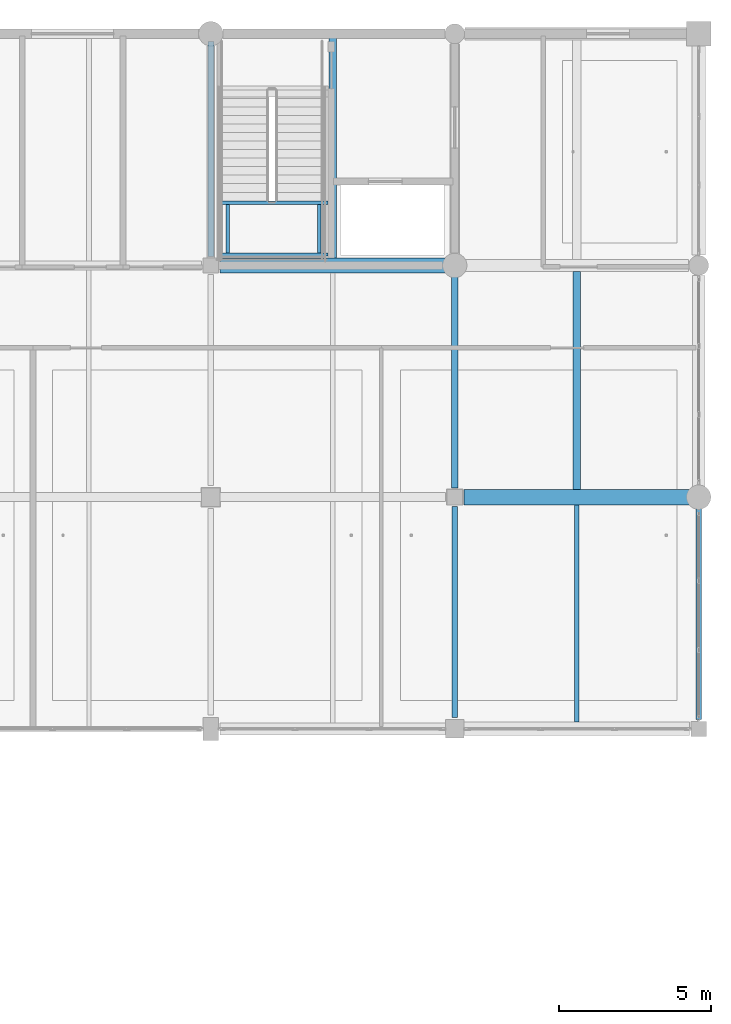
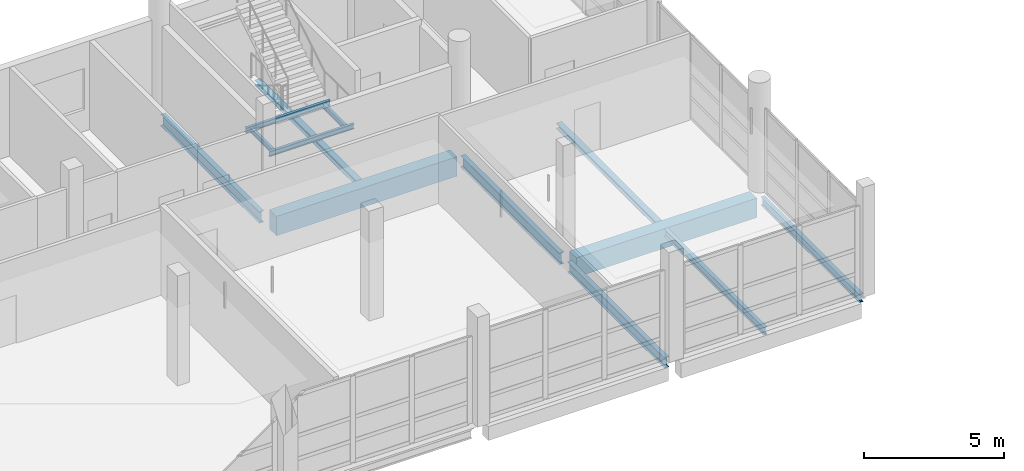
# One storey, part 19 of 46: 13 beams.
"""IFC4 building model written with IfcOpenShell, lengths in metres."""

from ifc_helpers import new_model, si_unit, direction, frame, origin, origin_2d, place, context, subcontext, project, spatial, rectangle, i_section, extrude, material, material_profile, profile_set, type_object, element, save


model = new_model("IFC4")

# Units and contexts
model_context = context("Model", 3, precision=1e-05, world=origin(), true_north=direction((0.0, 1.0)))
body_context = subcontext(model_context, "Body", "Model", "MODEL_VIEW")
ifc_project = project(units=[si_unit("LENGTHUNIT", "METRE"), si_unit("AREAUNIT", "SQUARE_METRE"), si_unit("VOLUMEUNIT", "CUBIC_METRE"), si_unit("PLANEANGLEUNIT", "RADIAN"), si_unit("MASSUNIT", "GRAM", prefix="KILO")], contexts=[model_context])

# Site, building, storey
site_placement = place(None, origin())
site = spatial("IfcSite", under=ifc_project, at=site_placement, CompositionType="ELEMENT")
building_placement = place(site_placement, origin())
building = spatial("IfcBuilding", under=site, at=building_placement, Name="Khelvaren Railside Concert Hall", CompositionType="ELEMENT")
storey_placement = place(building_placement, frame((0.0, 0.0, 19.800048828125)))
storey = spatial("IfcBuildingStorey", under=building, at=storey_placement, Name="L04", CompositionType="ELEMENT", Elevation=19.800048828125)

# Beams
ifc_material_1 = material(Name="Steel S355", Category="steel")
ifc_material_profile_1 = material_profile(ifc_material_1, i_section(OverallWidth=0.199951171875, OverallDepth=0.5, WebThickness=0.01025390625, FlangeThickness=0.01611328125, FilletRadius=0.02099609375, at=origin_2d()), Name="IPE 500")
ifc_profile_set_1 = profile_set([ifc_material_profile_1], Name="Steel S355")
beam_type_1 = type_object("IfcBeamType", Name="BM62", PredefinedType="BEAM", material=ifc_profile_set_1)
beam_1_placement = place(storey_placement, frame((168.0, 106.699951171875, -0.52001953125), z_axis=(0.0, 1.0, 0.0), x_axis=(-1.0, 0.0, 0.0)))
element("IfcBeam", 1, at=beam_1_placement, inside=storey, type_object=beam_type_1, Name="V5 L04 Beam Y6.4", PredefinedType="BEAM", context=body_context, shape_type="SweptSolid", body=[
    extrude(i_section(OverallWidth=0.199951171875, OverallDepth=0.5, WebThickness=0.01025390625, FlangeThickness=0.01611328125, FilletRadius=0.02099609375, at=origin_2d()), origin(), (0.0, 0.0, 1.0), 7.050048828125),
])
beam_2_placement = place(storey_placement, frame((176.0, 99.10009765625, -0.52001953125), z_axis=(0.0, 1.0, 0.0), x_axis=(-1.0, 0.0, 0.0)))
element("IfcBeam", 2, at=beam_2_placement, inside=storey, type_object=beam_type_1, Name="V5 L04 Beam Y7.3", PredefinedType="BEAM", context=body_context, shape_type="SweptSolid", body=[
    extrude(i_section(OverallWidth=0.199951171875, OverallDepth=0.5, WebThickness=0.01025390625, FlangeThickness=0.01611328125, FilletRadius=0.02099609375, at=origin_2d()), origin(), (0.0, 0.0, 1.0), 7.0498046875),
])
ifc_material_profile_2 = material_profile(ifc_material_1, i_section(OverallWidth=0.110107421875, OverallDepth=0.219970703125, WebThickness=0.005859375, FlangeThickness=0.00927734375, FilletRadius=0.011962890625, at=origin_2d()), Name="IPE 220")
ifc_profile_set_2 = profile_set([ifc_material_profile_2], Name="Steel S355")
beam_type_2 = type_object("IfcBeamType", Name="BM87", PredefinedType="BEAM", material=ifc_profile_set_2)
for number, where, z_axis, x_axis, name in (
    (3, (168.344970703125, 108.455078125, 2.08984375), (1.0, 0.0, 0.0), (0.0, 1.0, 0.0), "ST-10 L04 Half-Landing Front Beam"),
    (4, (168.344970703125, 106.760009765625, 2.08984375), (1.0, 0.0, 0.0), (0.0, 1.0, 0.0), "ST-10 L04 Half-Landing Rear Beam"),
):
    element("IfcBeam", number, at=place(storey_placement, frame(where, z_axis=z_axis, x_axis=x_axis)), inside=storey, type_object=beam_type_2, Name=name, PredefinedType="BEAM", context=body_context, shape_type="SweptSolid", body=[
        extrude(i_section(OverallWidth=0.110107421875, OverallDepth=0.219970703125, WebThickness=0.005859375, FlangeThickness=0.00927734375, FilletRadius=0.011962890625, at=origin_2d()), origin(), (0.0, 0.0, 1.0), 3.4951171875),
    ])
for number, where, z_axis, x_axis, name in (
    (5, (168.550048828125, 106.81494140625, 2.08984375), (0.0, 1.0, 0.0), (-1.0, 0.0, 0.0), "ST-10 L04 Half-Landing Side Tie W"),
    (6, (171.550048828125, 106.81494140625, 2.08984375), (0.0, 1.0, 0.0), (-1.0, 0.0, 0.0), "ST-10 L04 Half-Landing Side Tie E"),
):
    element("IfcBeam", number, at=place(storey_placement, frame(where, z_axis=z_axis, x_axis=x_axis)), inside=storey, type_object=beam_type_2, Name=name, PredefinedType="BEAM", context=body_context, shape_type="SweptSolid", body=[
        extrude(i_section(OverallWidth=0.110107421875, OverallDepth=0.219970703125, WebThickness=0.005859375, FlangeThickness=0.00927734375, FilletRadius=0.011962890625, at=origin_2d()), origin(), (0.0, 0.0, 1.0), 1.5849609375),
    ])
ifc_material_profile_3 = material_profile(ifc_material_1, i_section(OverallWidth=0.18994140625, OverallDepth=0.449951171875, WebThickness=0.009521484375, FlangeThickness=0.0146484375, FilletRadius=0.02099609375, at=origin_2d()), Name="IPE 450")
ifc_profile_set_3 = profile_set([ifc_material_profile_3], Name="Steel S355")
beam_type_3 = type_object("IfcBeamType", Name="BM95", PredefinedType="BEAM", material=ifc_profile_set_3)
beam_3_placement = place(storey_placement, frame((176.0, 91.574951171875, -0.4951171875), z_axis=(0.0, 1.0, 0.0), x_axis=(-1.0, 0.0, 0.0)))
element("IfcBeam", 7, at=beam_3_placement, inside=storey, type_object=beam_type_3, Name="V5 L04 Beam Y7.2", PredefinedType="BEAM", context=body_context, shape_type="SweptSolid", body=[
    extrude(i_section(OverallWidth=0.18994140625, OverallDepth=0.449951171875, WebThickness=0.009521484375, FlangeThickness=0.0146484375, FilletRadius=0.02099609375, at=origin_2d()), origin(), (0.0, 0.0, 1.0), 6.925048828125),
])
ifc_material_2 = material(Name="Concrete C40/50", Category="concrete")
ifc_material_profile_4 = material_profile(ifc_material_2, rectangle(XDim=0.5, YDim=0.85009765625, at=origin_2d()), Name="RCB 500x850")
ifc_profile_set_4 = profile_set([ifc_material_profile_4], Name="Concrete C40/50")
beam_type_4 = type_object("IfcBeamType", Name="GR96", PredefinedType="T_BEAM", material=ifc_profile_set_4)
for number, where, z_axis, x_axis, name in (
    (8, (176.300048828125, 98.800048828125, -0.695068359375), (1.0, 0.0, 0.0), (0.0, 1.0, 0.0), "V5 L04 T_Beam X3.7"),
    (9, (168.300048828125, 106.39990234375, -0.695068359375), (1.0, 0.0, 0.0), (0.0, 1.0, 0.0), "V5 L04 T_Beam X4.6"),
):
    element("IfcBeam", number, at=place(storey_placement, frame(where, z_axis=z_axis, x_axis=x_axis)), inside=storey, type_object=beam_type_4, Name=name, PredefinedType="T_BEAM", context=body_context, shape_type="SweptSolid", body=[
        extrude(rectangle(XDim=0.5, YDim=0.85009765625, at=origin_2d()), origin(), (0.0, 0.0, 1.0), 7.449951171875),
    ])
ifc_material_profile_5 = material_profile(ifc_material_1, i_section(OverallWidth=0.159912109375, OverallDepth=0.330078125, WebThickness=0.007568359375, FlangeThickness=0.011474609375, FilletRadius=0.01806640625, at=origin_2d()), Name="IPE 330")
ifc_profile_set_5 = profile_set([ifc_material_profile_5], Name="Steel S355")
beam_type_5 = type_object("IfcBeamType", Name="JS65", PredefinedType="JOIST", material=ifc_profile_set_5)
beam_4_placement = place(storey_placement, frame((180.0, 91.425048828125, -0.43505859375), z_axis=(0.0, 1.0, 0.0), x_axis=(-1.0, 0.0, 0.0)))
element("IfcBeam", 10, at=beam_4_placement, inside=storey, type_object=beam_type_5, Name="V5 L04 Secondary Joist 7.2", PredefinedType="JOIST", context=body_context, shape_type="SweptSolid", body=[
    extrude(i_section(OverallWidth=0.159912109375, OverallDepth=0.330078125, WebThickness=0.007568359375, FlangeThickness=0.011474609375, FilletRadius=0.01806640625, at=origin_2d()), origin(), (0.0, 0.0, 1.0), 7.125),
])
ifc_material_profile_6 = material_profile(ifc_material_1, i_section(OverallWidth=0.239990234375, OverallDepth=0.22998046875, WebThickness=0.007568359375, FlangeThickness=0.011962890625, FilletRadius=0.02099609375, at=origin_2d()), Name="HEA 240")
ifc_profile_set_6 = profile_set([ifc_material_profile_6], Name="Steel S355")
beam_type_6 = type_object("IfcBeamType", Name="JS76", PredefinedType="JOIST", material=ifc_profile_set_6)
beam_5_placement = place(storey_placement, frame((172.0, 106.64990234375, -0.385009765625), z_axis=(0.0, 1.0, 0.0), x_axis=(-1.0, 0.0, 0.0)))
element("IfcBeam", 11, at=beam_5_placement, inside=storey, type_object=beam_type_6, Name="V5 L04 Secondary Joist 6.4", PredefinedType="JOIST", context=body_context, shape_type="SweptSolid", body=[
    extrude(i_section(OverallWidth=0.239990234375, OverallDepth=0.22998046875, WebThickness=0.007568359375, FlangeThickness=0.011962890625, FilletRadius=0.02099609375, at=origin_2d()), origin(), (0.0, 0.0, 1.0), 7.26513671875),
])
beam_6_placement = place(storey_placement, frame((180.0, 99.050048828125, -0.385009765625), z_axis=(0.0, 1.0, 0.0), x_axis=(-1.0, 0.0, 0.0)))
element("IfcBeam", 12, at=beam_6_placement, inside=storey, type_object=beam_type_6, Name="V5 L04 Secondary Joist 7.3", PredefinedType="JOIST", context=body_context, shape_type="SweptSolid", body=[
    extrude(i_section(OverallWidth=0.239990234375, OverallDepth=0.22998046875, WebThickness=0.007568359375, FlangeThickness=0.011962890625, FilletRadius=0.02099609375, at=origin_2d()), origin(), (0.0, 0.0, 1.0), 7.14990234375),
])
ifc_material_profile_7 = material_profile(ifc_material_1, i_section(OverallWidth=0.169921875, OverallDepth=0.360107421875, WebThickness=0.008056640625, FlangeThickness=0.0126953125, FilletRadius=0.01806640625, at=origin_2d()), Name="IPE 360")
ifc_profile_set_7 = profile_set([ifc_material_profile_7], Name="Steel S355")
beam_type_7 = type_object("IfcBeamType", Name="SP74", PredefinedType="SPANDREL", material=ifc_profile_set_7)
beam_7_placement = place(storey_placement, frame((184.0, 91.5, -0.449951171875), z_axis=(0.0, 1.0, 0.0), x_axis=(-1.0, 0.0, 0.0)))
element("IfcBeam", 13, at=beam_7_placement, inside=storey, type_object=beam_type_7, Name="V5 L04 Spandrel Y8.2", PredefinedType="SPANDREL", context=body_context, shape_type="SweptSolid", body=[
    extrude(i_section(OverallWidth=0.169921875, OverallDepth=0.360107421875, WebThickness=0.008056640625, FlangeThickness=0.0126953125, FilletRadius=0.01806640625, at=origin_2d()), origin(), (0.0, 0.0, 1.0), 7.050048828125),
])

save(model, "model.ifc")
